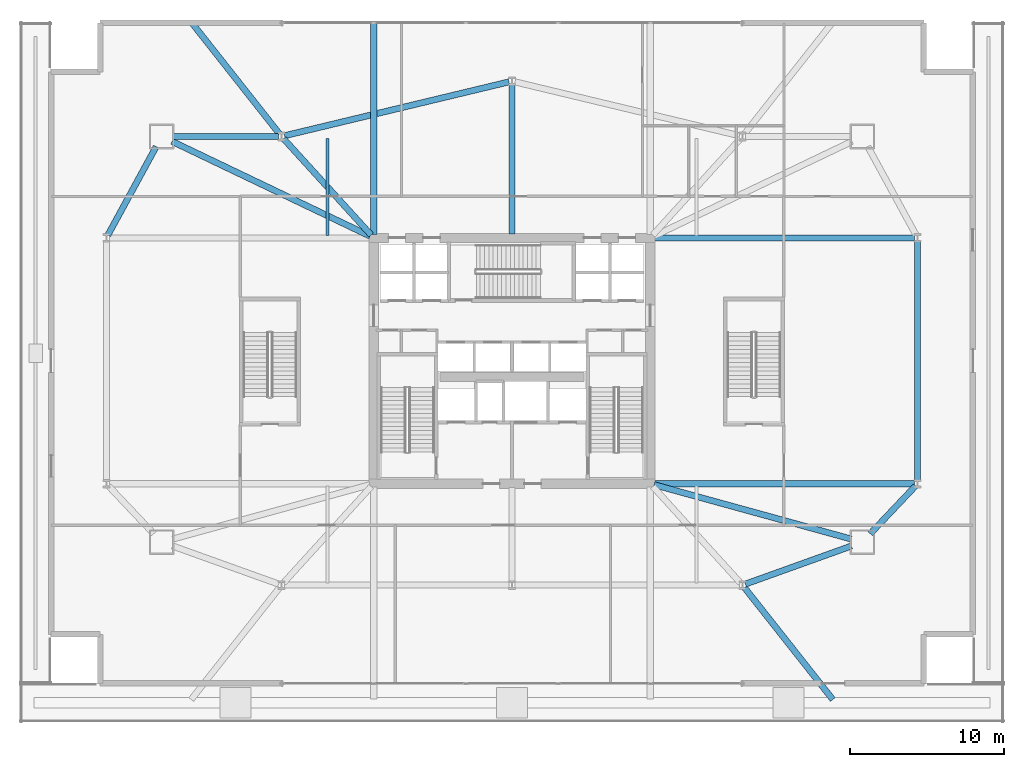
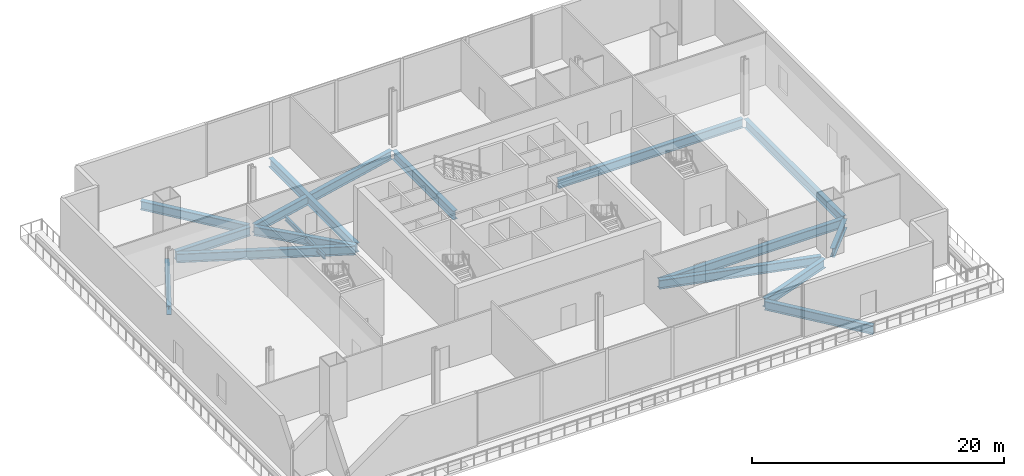
# One storey, part 5 of 20: 16 beams.
"""IFC4 building model written with IfcOpenShell, lengths in metres."""

from ifc_helpers import new_model, si_unit, direction, frame, origin, origin_2d, place, context, subcontext, project, spatial, i_section, extrude, material, material_profile, profile_set, type_object, element, save


model = new_model("IFC4")

# Units and contexts
model_context = context("Model", 3, precision=1e-05, world=origin(), true_north=direction((0.0, 1.0)))
body_context = subcontext(model_context, "Body", "Model", "MODEL_VIEW")
ifc_project = project(units=[si_unit("LENGTHUNIT", "METRE"), si_unit("AREAUNIT", "SQUARE_METRE"), si_unit("VOLUMEUNIT", "CUBIC_METRE"), si_unit("PLANEANGLEUNIT", "RADIAN"), si_unit("MASSUNIT", "GRAM", prefix="KILO")], contexts=[model_context])

# Site, building, storey
site_placement = place(None, origin())
site = spatial("IfcSite", under=ifc_project, at=site_placement, CompositionType="ELEMENT")
building_placement = place(site_placement, origin())
building = spatial("IfcBuilding", under=site, at=building_placement, Name="Haldenkirk Collegiate Tower", CompositionType="ELEMENT")
storey_placement = place(building_placement, frame((0.0, 0.0, 6.0)))
storey = spatial("IfcBuildingStorey", under=building, at=storey_placement, Name="L01", CompositionType="ELEMENT", Elevation=6.0)

# Beams
ifc_material = material(Name="Steel ASTM A992 Grade 50", Category="steel")
ifc_material_profile_1 = material_profile(ifc_material, i_section(OverallWidth=0.39990234375, OverallDepth=0.862060546875, WebThickness=0.019775390625, FlangeThickness=0.032470703125, at=origin_2d()), Name="W33X221")
ifc_profile_set_1 = profile_set([ifc_material_profile_1], Name="Steel ASTM A992 Grade 50")
beam_type_1 = type_object("IfcBeamType", Name="BM-GIRDER-W33X221", PredefinedType="BEAM", material=ifc_profile_set_1)
for number, where, z_axis, x_axis, name in (
    (1, (56.876220703125, 3.95703125, -0.760986328125), (-0.619664797767, 0.784866573634, 0.0), (-0.784866573634, -0.619664797767, 0.0), "L01 outer podium tie girder 04"),
    (2, (15.123779296875, 48.04296875, -0.760986328125), (0.619664797767, -0.784866573634, 0.0), (0.784866573634, 0.619664797767, 0.0), "L01 outer podium tie girder 05"),
):
    element("IfcBeam", number, at=place(storey_placement, frame(where, z_axis=z_axis, x_axis=x_axis)), inside=storey, type_object=beam_type_1, Name=name, PredefinedType="BEAM", context=body_context, shape_type="SweptSolid", body=[
        extrude(i_section(OverallWidth=0.39990234375, OverallDepth=0.862060546875, WebThickness=0.019775390625, FlangeThickness=0.032470703125, at=origin_2d()), origin(), (0.0, 0.0, 1.0), 9.262939453125),
    ])
beam_1_placement = place(storey_placement, frame((27.0, 48.0, -0.760986328125), z_axis=(0.0, -1.0, 0.0), x_axis=(1.0, 0.0, 0.0)))
element("IfcBeam", 3, at=beam_1_placement, inside=storey, type_object=beam_type_1, Name="L01 outer podium tie girder 06", PredefinedType="BEAM", context=body_context, shape_type="SweptSolid", body=[
    extrude(i_section(OverallWidth=0.39990234375, OverallDepth=0.862060546875, WebThickness=0.019775390625, FlangeThickness=0.032470703125, at=origin_2d()), origin(), (0.0, 0.0, 1.0), 13.780029296875),
])
beam_2_placement = place(storey_placement, frame((51.188232421875, 11.467529296875, -0.760986328125), z_axis=(0.941194128141, 0.337866265189, 0.0), x_axis=(-0.337866265189, 0.941194128141, 0.0)))
element("IfcBeam", 4, at=beam_2_placement, inside=storey, type_object=beam_type_1, Name="L01 podium ring girder 04", PredefinedType="BEAM", context=body_context, shape_type="SweptSolid", body=[
    extrude(i_section(OverallWidth=0.39990234375, OverallDepth=0.862060546875, WebThickness=0.019775390625, FlangeThickness=0.032470703125, at=origin_2d()), origin(), (0.0, 0.0, 1.0), 7.337158203125),
])
beam_3_placement = place(storey_placement, frame((59.31591796875, 14.744384765625, -0.760986328125), z_axis=(0.687730422772, 0.725966160089, 0.0), x_axis=(-0.725966160089, 0.687730422772, 0.0)))
element("IfcBeam", 5, at=beam_3_placement, inside=storey, type_object=beam_type_1, Name="L01 podium ring girder 05", PredefinedType="BEAM", context=body_context, shape_type="SweptSolid", body=[
    extrude(i_section(OverallWidth=0.39990234375, OverallDepth=0.862060546875, WebThickness=0.019775390625, FlangeThickness=0.032470703125, at=origin_2d()), origin(), (0.0, 0.0, 1.0), 4.284423828125),
])
beam_4_placement = place(storey_placement, frame((62.39990234375, 18.199951171875, -0.760986328125), z_axis=(0.0, 1.0, 0.0), x_axis=(-1.0, 0.0, 0.0)))
element("IfcBeam", 6, at=beam_4_placement, inside=storey, type_object=beam_type_1, Name="L01 podium ring girder 06", PredefinedType="BEAM", context=body_context, shape_type="SweptSolid", body=[
    extrude(i_section(OverallWidth=0.39990234375, OverallDepth=0.862060546875, WebThickness=0.019775390625, FlangeThickness=0.032470703125, at=origin_2d()), origin(), (0.0, 0.0, 1.0), 15.60009765625),
])
beam_5_placement = place(storey_placement, frame((35.805419921875, 44.1533203125, -0.760986328125), z_axis=(-0.972387449467, -0.233372337946, 0.0), x_axis=(0.233372337946, -0.972387449467, 0.0)))
element("IfcBeam", 7, at=beam_5_placement, inside=storey, type_object=beam_type_1, Name="L01 podium ring girder 10", PredefinedType="BEAM", context=body_context, shape_type="SweptSolid", body=[
    extrude(i_section(OverallWidth=0.39990234375, OverallDepth=0.862060546875, WebThickness=0.019775390625, FlangeThickness=0.032470703125, at=origin_2d()), origin(), (0.0, 0.0, 1.0), 15.025634765625),
])
beam_6_placement = place(storey_placement, frame((20.800048828125, 40.60009765625, -0.760986328125), z_axis=(-1.0, 0.0, 0.0), x_axis=(0.0, -1.0, 0.0)))
element("IfcBeam", 8, at=beam_6_placement, inside=storey, type_object=beam_type_1, Name="L01 podium ring girder 11", PredefinedType="BEAM", context=body_context, shape_type="SweptSolid", body=[
    extrude(i_section(OverallWidth=0.39990234375, OverallDepth=0.862060546875, WebThickness=0.019775390625, FlangeThickness=0.032470703125, at=origin_2d()), origin(), (0.0, 0.0, 1.0), 6.85009765625),
])
beam_7_placement = place(storey_placement, frame((12.8408203125, 39.941650390625, -0.760986328125), z_axis=(-0.47883650459, -0.877904096056, 0.0), x_axis=(0.877904096056, -0.47883650459, 0.0)))
element("IfcBeam", 9, at=beam_7_placement, inside=storey, type_object=beam_type_1, Name="L01 podium ring girder 12", PredefinedType="BEAM", context=body_context, shape_type="SweptSolid", body=[
    extrude(i_section(OverallWidth=0.39990234375, OverallDepth=0.862060546875, WebThickness=0.019775390625, FlangeThickness=0.032470703125, at=origin_2d()), origin(), (0.0, 0.0, 1.0), 6.568115234375),
])
for number, where, z_axis, x_axis, name in (
    (10, (62.199951171875, 18.0, -0.760986328125), (-1.0, 0.0, 0.0), (0.0, -1.0, 0.0), "L01 podium radial girder 03"),
    (11, (62.199951171875, 34.0, -0.760986328125), (-1.0, 0.0, 0.0), (0.0, -1.0, 0.0), "L01 podium radial girder 04"),
):
    element("IfcBeam", number, at=place(storey_placement, frame(where, z_axis=z_axis, x_axis=x_axis)), inside=storey, type_object=beam_type_1, Name=name, PredefinedType="BEAM", context=body_context, shape_type="SweptSolid", body=[
        extrude(i_section(OverallWidth=0.39990234375, OverallDepth=0.862060546875, WebThickness=0.019775390625, FlangeThickness=0.032470703125, at=origin_2d()), origin(), (0.0, 0.0, 1.0), 16.949951171875),
    ])
beam_8_placement = place(storey_placement, frame((36.0, 44.0, -0.760986328125), z_axis=(0.0, -1.0, 0.0), x_axis=(1.0, 0.0, 0.0)))
element("IfcBeam", 12, at=beam_8_placement, inside=storey, type_object=beam_type_1, Name="L01 podium radial girder 06", PredefinedType="BEAM", context=body_context, shape_type="SweptSolid", body=[
    extrude(i_section(OverallWidth=0.39990234375, OverallDepth=0.862060546875, WebThickness=0.019775390625, FlangeThickness=0.032470703125, at=origin_2d()), origin(), (0.0, 0.0, 1.0), 9.75),
])
beam_9_placement = place(storey_placement, frame((21.134521484375, 40.451904296875, -0.760986328125), z_axis=(0.672681402593, -0.739932247307, 0.0), x_axis=(0.739932247307, 0.672681402593, 0.0)))
element("IfcBeam", 13, at=beam_9_placement, inside=storey, type_object=beam_type_1, Name="L01 podium radial girder 09", PredefinedType="BEAM", context=body_context, shape_type="SweptSolid", body=[
    extrude(i_section(OverallWidth=0.39990234375, OverallDepth=0.862060546875, WebThickness=0.019775390625, FlangeThickness=0.032470703125, at=origin_2d()), origin(), (0.0, 0.0, 1.0), 8.469482421875),
])
beam_10_placement = place(storey_placement, frame((58.076904296875, 14.399169921875, -0.760986328125), z_axis=(-0.964118138457, 0.265473567606, 0.0), x_axis=(-0.265473567606, -0.964118138457, 0.0)))
element("IfcBeam", 14, at=beam_10_placement, inside=storey, type_object=beam_type_1, Name="L01 podium radial girder 12", PredefinedType="BEAM", context=body_context, shape_type="SweptSolid", body=[
    extrude(i_section(OverallWidth=0.39990234375, OverallDepth=0.862060546875, WebThickness=0.019775390625, FlangeThickness=0.032470703125, at=origin_2d()), origin(), (0.0, 0.0, 1.0), 13.313720703125),
])
beam_11_placement = place(storey_placement, frame((13.876708984375, 40.2763671875, -0.760986328125), z_axis=(0.902134510622, -0.431454893058, 0.0), x_axis=(0.431454893058, 0.902134510622, 0.0)))
element("IfcBeam", 15, at=beam_11_placement, inside=storey, type_object=beam_type_1, Name="L01 podium radial girder 14", PredefinedType="BEAM", context=body_context, shape_type="SweptSolid", body=[
    extrude(i_section(OverallWidth=0.39990234375, OverallDepth=0.862060546875, WebThickness=0.019775390625, FlangeThickness=0.032470703125, at=origin_2d()), origin(), (0.0, 0.0, 1.0), 14.296875),
])
ifc_material_profile_2 = material_profile(ifc_material, i_section(OverallWidth=0.19189453125, OverallDepth=0.462890625, WebThickness=0.010498046875, FlangeThickness=0.017578125, at=origin_2d()), Name="W18X60")
ifc_profile_set_2 = profile_set([ifc_material_profile_2], Name="Steel ASTM A992 Grade 50")
beam_type_2 = type_object("IfcBeamType", Name="BM-JOIST-W18X60", PredefinedType="JOIST", material=ifc_profile_set_2)
beam_12_placement = place(storey_placement, frame((24.0, 34.139892578125, -0.5615234375), z_axis=(0.0, 1.0, 0.0), x_axis=(-1.0, 0.0, 0.0)))
element("IfcBeam", 16, at=beam_12_placement, inside=storey, type_object=beam_type_2, Name="L01 north bay floor joist 1", PredefinedType="JOIST", context=body_context, shape_type="SweptSolid", body=[
    extrude(i_section(OverallWidth=0.19189453125, OverallDepth=0.462890625, WebThickness=0.010498046875, FlangeThickness=0.017578125, at=origin_2d()), origin(), (0.0, 0.0, 1.0), 6.320068359375),
])

save(model, "model.ifc")
